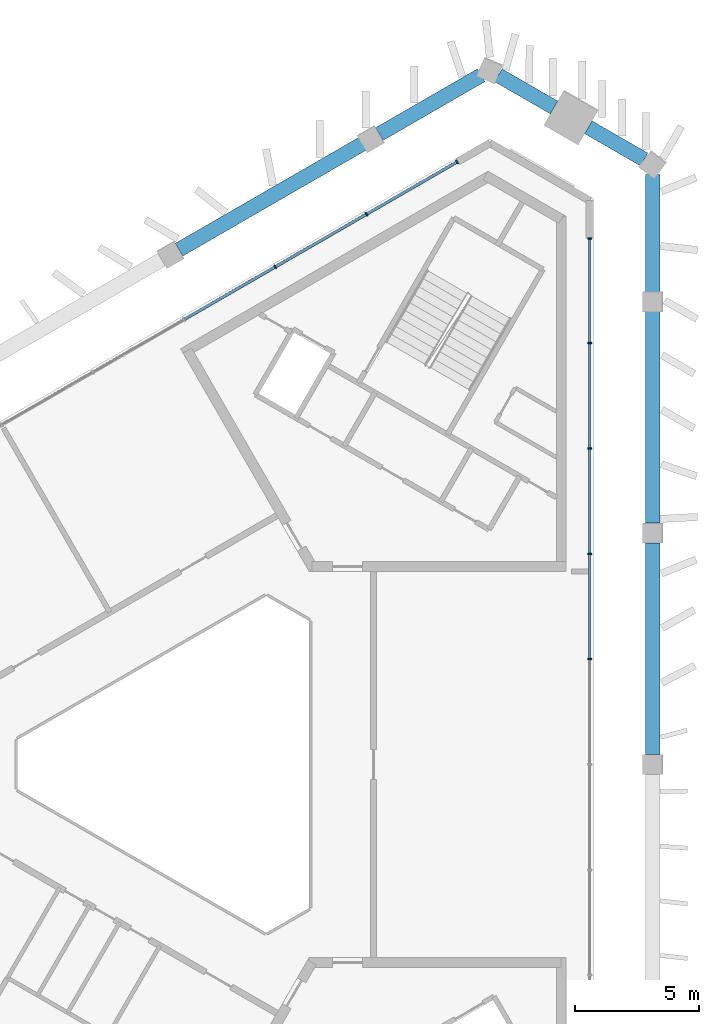
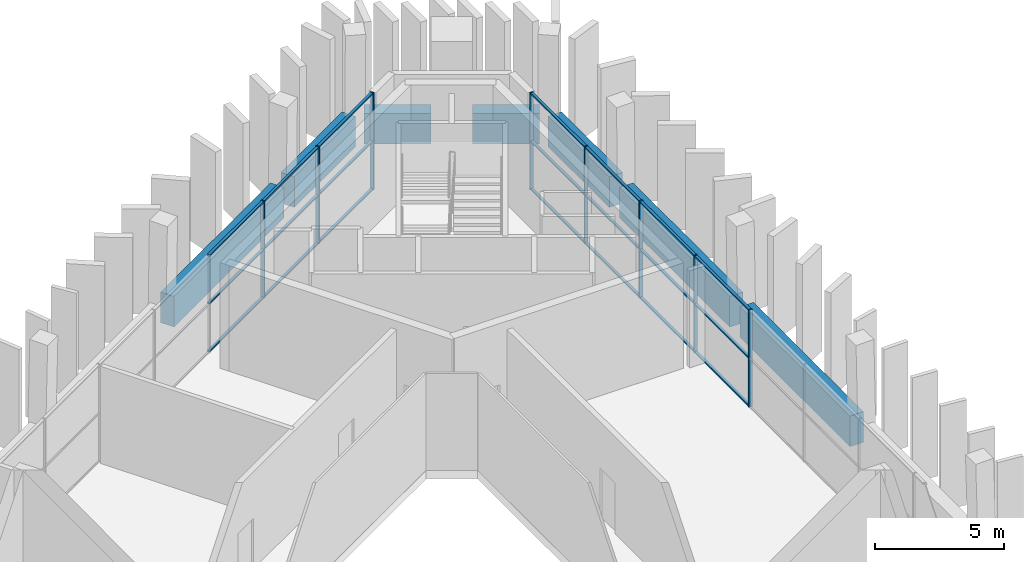
# One storey, part 6 of 13: 29 members, 7 beams, 2 elements without a shape of their own.
"""IFC4 building model written with IfcOpenShell, lengths in metres."""

import ifcopenshell
import ifcopenshell.guid

model = None  # the IFC model being written
_history = None  # IfcOwnerHistory: only IFC2X3 demands one
_inside = {}  # id of a spatial element -> (the spatial element, [elements in it])
_under = {}  # id of a project, library or spatial element -> (it, [spatial elements below it])
_declared = {}  # id of a project -> (the project, [libraries it declares])
_typed = {}  # id of a type object -> (the type object, [elements of that type])
_made_of = {}  # id of a material, layer set ... -> (it, [elements and type objects made of it])


def new_model(schema):
    """Start an empty IFC model of exactly this schema.

    Asked for "IFC4X3", IfcOpenShell would pick the latest addendum, in which some entities
    have other attributes; the version numbers below select the first issue.
    IFC2X3 requires an IfcOwnerHistory on every rooted entity: one is made here for all.
    """
    global model, _history
    if schema == "IFC4X3":
        model = ifcopenshell.file(schema_version=(4, 3, 0, 0))
    else:
        model = ifcopenshell.file(schema=schema)
    _inside.clear()
    _under.clear()
    _declared.clear()
    _typed.clear()
    _made_of.clear()
    _history = None
    if model.schema == "IFC2X3":
        org = make("IfcOrganization", Name="unknown")
        user = make(
            "IfcPersonAndOrganization",
            ThePerson=make("IfcPerson", FamilyName="unknown"),
            TheOrganization=org,
        )
        app = make(
            "IfcApplication",
            ApplicationDeveloper=org,
            Version="unknown",
            ApplicationFullName="unknown",
            ApplicationIdentifier="unknown",
        )
        _history = make(
            "IfcOwnerHistory",
            OwningUser=user,
            OwningApplication=app,
            ChangeAction="ADDED",
            CreationDate=0,
        )
    return model


def make(cls, **values):
    """One entity of the class cls with the attributes given. An attribute that is None is left unset."""
    return model.create_entity(
        cls, **{name: value for name, value in values.items() if value is not None}
    )


def rooted(cls, **values):
    """An entity with a GlobalId (a new one), such as an element, a storey or a relation."""
    return make(cls, GlobalId=ifcopenshell.guid.new(), OwnerHistory=_history, **values)


def si_unit(unit_type, name, prefix=None):
    """IfcSIUnit, for example si_unit("LENGTHUNIT", "METRE", prefix="MILLI")."""
    return make("IfcSIUnit", UnitType=unit_type, Prefix=prefix, Name=name)


def assignment(units):
    """IfcUnitAssignment: the units of a project."""
    return None if units is None else make("IfcUnitAssignment", Units=units)


def point(xyz):
    """IfcCartesianPoint."""
    return None if xyz is None else make("IfcCartesianPoint", Coordinates=xyz)


def direction(xyz):
    """IfcDirection."""
    return None if xyz is None else make("IfcDirection", DirectionRatios=xyz)


def frame(location, z_axis=None, x_axis=None):
    """IfcAxis2Placement3D, a coordinate frame: its origin and axes. An axis left out is left unset."""
    return make(
        "IfcAxis2Placement3D",
        Location=point(location),
        Axis=direction(z_axis),
        RefDirection=direction(x_axis),
    )


def frame_2d(location, x_axis=None):
    """IfcAxis2Placement2D, a coordinate frame in the plane: its origin and x axis."""
    return make(
        "IfcAxis2Placement2D", Location=point(location), RefDirection=direction(x_axis)
    )


def origin():
    """The frame at (0, 0, 0) with its axes left unset."""
    return frame((0.0, 0.0, 0.0))


def origin_2d():
    """The frame at (0, 0) in the plane with its x axis left unset."""
    return frame_2d((0.0, 0.0))


def place(relative_to, where):
    """IfcLocalPlacement: puts the frame where relative to a parent placement (None: the world)."""
    return make(
        "IfcLocalPlacement", PlacementRelTo=relative_to, RelativePlacement=where
    )


def context(
    kind, dimensions, precision=None, world=None, true_north=None, identifier=None
):
    """IfcGeometricRepresentationContext, for example the 3D "Model" context."""
    return make(
        "IfcGeometricRepresentationContext",
        ContextIdentifier=identifier,
        ContextType=kind,
        CoordinateSpaceDimension=dimensions,
        Precision=precision,
        WorldCoordinateSystem=world,
        TrueNorth=true_north,
    )


def subcontext(parent, identifier, kind, view, scale=None):
    """IfcGeometricRepresentationSubContext, for example "Body" below "Model"."""
    return make(
        "IfcGeometricRepresentationSubContext",
        ContextIdentifier=identifier,
        ContextType=kind,
        ParentContext=parent,
        TargetScale=scale,
        TargetView=view,
    )


def project(units=None, contexts=None):
    """IfcProject with its units and contexts."""
    return rooted(
        "IfcProject",
        Name="project",
        RepresentationContexts=contexts,
        UnitsInContext=assignment(units),
    )


def spatial(cls, under=None, at=None, **own):
    """A site, building, storey or space (cls), placed at a placement, below another one or the project."""
    s = rooted(cls, ObjectPlacement=at, **own)
    if under is not None:
        _under.setdefault(under.id(), (under, []))[1].append(s)
    return s


def profile(cls, at=None, kind="AREA", **sizes):
    """A parametric profile (cls). Its sizes go by their IFC names, for example OverallWidth=200.0."""
    return make(cls, ProfileType=kind, Position=at, **sizes)


def rectangle(**sizes):
    """IfcRectangleProfileDef."""
    return profile("IfcRectangleProfileDef", **sizes)


def extrude(swept, where, along, depth):
    """IfcExtrudedAreaSolid: the profile swept, set in the frame where, extruded along a direction by depth."""
    return make(
        "IfcExtrudedAreaSolid",
        SweptArea=swept,
        Position=where,
        ExtrudedDirection=direction(along),
        Depth=depth,
    )


def shape(context_of_items, identifier, shape_type, items):
    """IfcShapeRepresentation: the items that make up one representation, for example the "Body"."""
    return make(
        "IfcShapeRepresentation",
        ContextOfItems=context_of_items,
        RepresentationIdentifier=identifier,
        RepresentationType=shape_type,
        Items=items,
    )


def material(Name=None, Category=None):
    """IfcMaterial."""
    return make("IfcMaterial", Name=Name, Category=Category)


def layer(
    of_material, thickness, ventilated=None, Name=None, Category=None, Priority=None
):
    """IfcMaterialLayer: one layer of a wall or slab, of a material (None: an air gap)."""
    return make(
        "IfcMaterialLayer",
        Material=of_material,
        LayerThickness=thickness,
        IsVentilated=ventilated,
        Name=Name,
        Category=Category,
        Priority=Priority,
    )


def layer_set(layers, Name=None):
    """IfcMaterialLayerSet."""
    return make("IfcMaterialLayerSet", MaterialLayers=layers, LayerSetName=Name)


def material_profile(
    of_material, cross_section, Name=None, Category=None, Priority=None
):
    """IfcMaterialProfile: a cross section and its material."""
    return make(
        "IfcMaterialProfile",
        Name=Name,
        Material=of_material,
        Profile=cross_section,
        Priority=Priority,
        Category=Category,
    )


def profile_set(profiles, Name=None, composite=None):
    """IfcMaterialProfileSet."""
    return make(
        "IfcMaterialProfileSet",
        Name=Name,
        MaterialProfiles=profiles,
        CompositeProfile=composite,
    )


def made_of(thing, what):
    """Note that an element or type object is made of a material, layer set ...; save() writes the relation."""
    if what is not None:
        _made_of.setdefault(what.id(), (what, []))[1].append(thing)
    return thing


def type_object(cls, material=None, **own):
    """A type object (cls), such as IfcWallType, which elements share."""
    return made_of(rooted(cls, **own), material)


def element(
    cls,
    number,
    at=None,
    inside=None,
    cuts=None,
    type_object=None,
    material=None,
    context=None,
    identifier="Body",
    shape_type=None,
    held_by="IfcProductDefinitionShape",
    body=None,
    shapes=None,
    **own,
):
    """One element of the class cls, such as IfcWall. Its Tag is "e" and its number.

    at: its placement. inside: the storey or other place that contains it. cuts: it is an
    opening in that element (IfcRelVoidsElement). A single representation is given by context,
    identifier, shape_type and body (its items); several are given by shapes. held_by: the class
    of the entity that holds the representations. save() writes the other relations.
    """
    e = rooted(cls, Tag="e%d" % number, ObjectPlacement=at, **own)
    if body is not None:
        shapes = [shape(context, identifier, shape_type, body)]
    if shapes is not None:
        e.Representation = make(held_by, Representations=shapes)
    if inside is not None:
        _inside.setdefault(inside.id(), (inside, []))[1].append(e)
    if cuts is not None:
        rooted(
            "IfcRelVoidsElement", RelatingBuildingElement=cuts, RelatedOpeningElement=e
        )
    if type_object is not None:
        _typed.setdefault(type_object.id(), (type_object, []))[1].append(e)
    return made_of(e, material)


def aggregate(whole, parts):
    """IfcRelAggregates: a whole, such as a stair, and the parts it consists of."""
    return rooted("IfcRelAggregates", RelatingObject=whole, RelatedObjects=parts)


def save(model, path):
    """Write the relations noted so far, then the file.

    IfcRelAggregates (storeys below a building ...), IfcRelContainedInSpatialStructure (elements
    in a storey), IfcRelDefinesByType, IfcRelAssociatesMaterial and IfcRelDeclares: one each for
    every whole, place, type object, material and project.
    """
    for whole, parts in _under.values():
        aggregate(whole, parts)
    for where, things in _inside.values():
        rooted(
            "IfcRelContainedInSpatialStructure",
            RelatedElements=things,
            RelatingStructure=where,
        )
    for kind, things in _typed.values():
        rooted("IfcRelDefinesByType", RelatedObjects=things, RelatingType=kind)
    for what, things in _made_of.values():
        rooted("IfcRelAssociatesMaterial", RelatedObjects=things, RelatingMaterial=what)
    for by, libraries in _declared.values():
        rooted("IfcRelDeclares", RelatingContext=by, RelatedDefinitions=libraries)
    model.write(path)


model = new_model("IFC4")

# Units and contexts
model_context = context("Model", 3, precision=1e-05, world=origin(), true_north=direction((0.0, 1.0)))
body_context = subcontext(model_context, "Body", "Model", "MODEL_VIEW")
ifc_project = project(units=[si_unit("LENGTHUNIT", "METRE"), si_unit("AREAUNIT", "SQUARE_METRE"), si_unit("VOLUMEUNIT", "CUBIC_METRE"), si_unit("PLANEANGLEUNIT", "RADIAN"), si_unit("MASSUNIT", "GRAM", prefix="KILO")], contexts=[model_context])

# Site, building, storey
site_placement = place(None, origin())
site = spatial("IfcSite", under=ifc_project, at=site_placement, CompositionType="ELEMENT")
building_placement = place(site_placement, origin())
building = spatial("IfcBuilding", under=site, at=building_placement, Name="Jabali Bay Hotel Tower and Convention Centre", CompositionType="ELEMENT")
storey_placement = place(building_placement, frame((0.0, 0.0, 310.800048828125)))
storey = spatial("IfcBuildingStorey", under=building, at=storey_placement, Name="L76", CompositionType="ELEMENT", Elevation=310.800048828125)

# Curtain wall, members
ifc_material_1 = material(Name="Aluminium and glass", Category="aluminium")
ifc_layer = layer(ifc_material_1, 0.159912109375)
ifc_layer_set = layer_set([ifc_layer], Name="Aluminium and glass")
curtain_wall_type = type_object("IfcCurtainWallType", Name="CW3 curtain wall", PredefinedType="NOTDEFINED", material=ifc_layer_set)
curtain_wall_1_placement = place(storey_placement, origin())
curtain_wall_1 = element("IfcCurtainWall", 1, at=curtain_wall_1_placement, inside=storey, type_object=curtain_wall_type, Name="CW3 curtain wall east face L76", PredefinedType="NOTDEFINED")
ifc_material_2 = material(Name="Aluminium", Category="aluminium")
ifc_material_profile_1 = material_profile(ifc_material_2, rectangle(XDim=0.159912109375, YDim=0.06005859375, at=origin_2d()), Name="CW3 mullion 60 x 160")
ifc_profile_set_1 = profile_set([ifc_material_profile_1], Name="Aluminium")
member_type_1 = type_object("IfcMemberType", Name="CW3 mullion 60 x 160", PredefinedType="MULLION", material=ifc_profile_set_1)
member_1_placement = place(storey_placement, frame((90.8310546875, 101.2333984375, 0.0), z_axis=(0.0, 0.0, 1.0), x_axis=(1.0, 0.0, 0.0)))
member_1 = element("IfcMember", 2, at=member_1_placement, type_object=member_type_1, Name="CW3 mullion 1", PredefinedType="MULLION", context=body_context, shape_type="SweptSolid", body=[
    extrude(rectangle(XDim=0.159912109375, YDim=0.06005859375, at=origin_2d()), origin(), (0.0, 0.0, 1.0), 4.599853515625),
])
member_2_placement = place(storey_placement, frame((90.8310546875, 97.0107421875, 0.0), z_axis=(0.0, 0.0, 1.0), x_axis=(1.0, 0.0, 0.0)))
member_2 = element("IfcMember", 3, at=member_2_placement, type_object=member_type_1, Name="CW3 mullion 2", PredefinedType="MULLION", context=body_context, shape_type="SweptSolid", body=[
    extrude(rectangle(XDim=0.159912109375, YDim=0.06005859375, at=origin_2d()), origin(), (0.0, 0.0, 1.0), 4.599853515625),
])
member_3_placement = place(storey_placement, frame((90.8310546875, 92.758056640625, 0.0), z_axis=(0.0, 0.0, 1.0), x_axis=(1.0, 0.0, 0.0)))
member_3 = element("IfcMember", 4, at=member_3_placement, type_object=member_type_1, Name="CW3 mullion 3", PredefinedType="MULLION", context=body_context, shape_type="SweptSolid", body=[
    extrude(rectangle(XDim=0.159912109375, YDim=0.06005859375, at=origin_2d()), origin(), (0.0, 0.0, 1.0), 4.599853515625),
])
member_4_placement = place(storey_placement, frame((90.8310546875, 88.50537109375, 0.0), z_axis=(0.0, 0.0, 1.0), x_axis=(1.0, 0.0, 0.0)))
member_4 = element("IfcMember", 5, at=member_4_placement, type_object=member_type_1, Name="CW3 mullion 4", PredefinedType="MULLION", context=body_context, shape_type="SweptSolid", body=[
    extrude(rectangle(XDim=0.159912109375, YDim=0.06005859375, at=origin_2d()), origin(), (0.0, 0.0, 1.0), 4.599853515625),
])
member_5_placement = place(storey_placement, frame((90.8310546875, 84.252685546875, 0.0), z_axis=(0.0, 0.0, 1.0), x_axis=(1.0, 0.0, 0.0)))
member_5 = element("IfcMember", 6, at=member_5_placement, type_object=member_type_1, Name="CW3 mullion 5", PredefinedType="MULLION", context=body_context, shape_type="SweptSolid", body=[
    extrude(rectangle(XDim=0.159912109375, YDim=0.06005859375, at=origin_2d()), origin(), (0.0, 0.0, 1.0), 4.599853515625),
])

curtain_wall_2_placement = place(storey_placement, origin())
curtain_wall_2 = element("IfcCurtainWall", 7, at=curtain_wall_2_placement, inside=storey, type_object=curtain_wall_type, Name="CW3 curtain wall north-west face L76", PredefinedType="NOTDEFINED")
member_6_placement = place(storey_placement, frame((78.13330078125, 100.089111328125, 0.0), z_axis=(0.0, 0.0, 1.0), x_axis=(-0.5, 0.866025403784, 0.0)))
member_6 = element("IfcMember", 8, at=member_6_placement, type_object=member_type_1, Name="CW3 mullion 9", PredefinedType="MULLION", context=body_context, shape_type="SweptSolid", body=[
    extrude(rectangle(XDim=0.159912109375, YDim=0.06005859375, at=origin_2d()), origin(), (0.0, 0.0, 1.0), 4.599853515625),
])
member_7_placement = place(storey_placement, frame((81.81640625, 102.21533203125, 0.0), z_axis=(0.0, 0.0, 1.0), x_axis=(-0.5, 0.866025403784, 0.0)))
member_7 = element("IfcMember", 9, at=member_7_placement, type_object=member_type_1, Name="CW3 mullion 10", PredefinedType="MULLION", context=body_context, shape_type="SweptSolid", body=[
    extrude(rectangle(XDim=0.159912109375, YDim=0.06005859375, at=origin_2d()), origin(), (0.0, 0.0, 1.0), 4.599853515625),
])
member_8_placement = place(storey_placement, frame((85.47314453125, 104.32666015625, 0.0), z_axis=(0.0, 0.0, 1.0), x_axis=(-0.5, 0.866025403784, 0.0)))
member_8 = element("IfcMember", 10, at=member_8_placement, type_object=member_type_1, Name="CW3 mullion 11", PredefinedType="MULLION", context=body_context, shape_type="SweptSolid", body=[
    extrude(rectangle(XDim=0.159912109375, YDim=0.06005859375, at=origin_2d()), origin(), (0.0, 0.0, 1.0), 4.599853515625),
])

# Member
ifc_material_profile_2 = material_profile(ifc_material_2, rectangle(XDim=0.1201171875, YDim=0.06005859375, at=origin_2d()), Name="CW3 transom 60 x 120")
ifc_profile_set_2 = profile_set([ifc_material_profile_2], Name="Aluminium")
member_type_2 = type_object("IfcMemberType", Name="CW3 transom 60 x 120", PredefinedType="USERDEFINED", material=ifc_profile_set_2)
member_9_placement = place(storey_placement, frame((90.8310546875, 101.203369140625, 0.030029296875), z_axis=(0.0, -1.0, 0.0), x_axis=(1.0, 0.0, 0.0)))
member_9 = element("IfcMember", 11, at=member_9_placement, type_object=member_type_2, Name="CW3 transom 1.1", ObjectType="TRANSOM", PredefinedType="USERDEFINED", context=body_context, shape_type="SweptSolid", body=[
    extrude(rectangle(XDim=0.1201171875, YDim=0.06005859375, at=origin_2d()), origin(), (0.0, 0.0, 1.0), 4.16259765625),
])

member_10_placement = place(storey_placement, frame((90.8310546875, 101.203369140625, 2.300048828125), z_axis=(0.0, -1.0, 0.0), x_axis=(1.0, 0.0, 0.0)))
member_10 = element("IfcMember", 12, at=member_10_placement, type_object=member_type_2, Name="CW3 transom 1.2", ObjectType="TRANSOM", PredefinedType="USERDEFINED", context=body_context, shape_type="SweptSolid", body=[
    extrude(rectangle(XDim=0.1201171875, YDim=0.06005859375, at=origin_2d()), origin(), (0.0, 0.0, 1.0), 4.16259765625),
])

member_11_placement = place(storey_placement, frame((90.8310546875, 101.203369140625, 4.570068359375), z_axis=(0.0, -1.0, 0.0), x_axis=(1.0, 0.0, 0.0)))
member_11 = element("IfcMember", 13, at=member_11_placement, type_object=member_type_2, Name="CW3 transom 1.3", ObjectType="TRANSOM", PredefinedType="USERDEFINED", context=body_context, shape_type="SweptSolid", body=[
    extrude(rectangle(XDim=0.1201171875, YDim=0.06005859375, at=origin_2d()), origin(), (0.0, 0.0, 1.0), 4.16259765625),
])

member_12_placement = place(storey_placement, frame((90.8310546875, 96.980712890625, 0.030029296875), z_axis=(0.0, -1.0, 0.0), x_axis=(1.0, 0.0, 0.0)))
member_12 = element("IfcMember", 14, at=member_12_placement, type_object=member_type_2, Name="CW3 transom 2.1", ObjectType="TRANSOM", PredefinedType="USERDEFINED", context=body_context, shape_type="SweptSolid", body=[
    extrude(rectangle(XDim=0.1201171875, YDim=0.06005859375, at=origin_2d()), origin(), (0.0, 0.0, 1.0), 4.192626953125),
])

member_13_placement = place(storey_placement, frame((90.8310546875, 96.980712890625, 2.300048828125), z_axis=(0.0, -1.0, 0.0), x_axis=(1.0, 0.0, 0.0)))
member_13 = element("IfcMember", 15, at=member_13_placement, type_object=member_type_2, Name="CW3 transom 2.2", ObjectType="TRANSOM", PredefinedType="USERDEFINED", context=body_context, shape_type="SweptSolid", body=[
    extrude(rectangle(XDim=0.1201171875, YDim=0.06005859375, at=origin_2d()), origin(), (0.0, 0.0, 1.0), 4.192626953125),
])

member_14_placement = place(storey_placement, frame((90.8310546875, 96.980712890625, 4.570068359375), z_axis=(0.0, -1.0, 0.0), x_axis=(1.0, 0.0, 0.0)))
member_14 = element("IfcMember", 16, at=member_14_placement, type_object=member_type_2, Name="CW3 transom 2.3", ObjectType="TRANSOM", PredefinedType="USERDEFINED", context=body_context, shape_type="SweptSolid", body=[
    extrude(rectangle(XDim=0.1201171875, YDim=0.06005859375, at=origin_2d()), origin(), (0.0, 0.0, 1.0), 4.192626953125),
])

member_15_placement = place(storey_placement, frame((90.8310546875, 92.72802734375, 0.030029296875), z_axis=(0.0, -1.0, 0.0), x_axis=(1.0, 0.0, 0.0)))
member_15 = element("IfcMember", 17, at=member_15_placement, type_object=member_type_2, Name="CW3 transom 3.1", ObjectType="TRANSOM", PredefinedType="USERDEFINED", context=body_context, shape_type="SweptSolid", body=[
    extrude(rectangle(XDim=0.1201171875, YDim=0.06005859375, at=origin_2d()), origin(), (0.0, 0.0, 1.0), 4.192626953125),
])

member_16_placement = place(storey_placement, frame((90.8310546875, 92.72802734375, 2.300048828125), z_axis=(0.0, -1.0, 0.0), x_axis=(1.0, 0.0, 0.0)))
member_16 = element("IfcMember", 18, at=member_16_placement, type_object=member_type_2, Name="CW3 transom 3.2", ObjectType="TRANSOM", PredefinedType="USERDEFINED", context=body_context, shape_type="SweptSolid", body=[
    extrude(rectangle(XDim=0.1201171875, YDim=0.06005859375, at=origin_2d()), origin(), (0.0, 0.0, 1.0), 4.192626953125),
])

member_17_placement = place(storey_placement, frame((90.8310546875, 92.72802734375, 4.570068359375), z_axis=(0.0, -1.0, 0.0), x_axis=(1.0, 0.0, 0.0)))
member_17 = element("IfcMember", 19, at=member_17_placement, type_object=member_type_2, Name="CW3 transom 3.3", ObjectType="TRANSOM", PredefinedType="USERDEFINED", context=body_context, shape_type="SweptSolid", body=[
    extrude(rectangle(XDim=0.1201171875, YDim=0.06005859375, at=origin_2d()), origin(), (0.0, 0.0, 1.0), 4.192626953125),
])

member_18_placement = place(storey_placement, frame((90.8310546875, 88.475341796875, 0.030029296875), z_axis=(0.0, -1.0, 0.0), x_axis=(1.0, 0.0, 0.0)))
member_18 = element("IfcMember", 20, at=member_18_placement, type_object=member_type_2, Name="CW3 transom 4.1", ObjectType="TRANSOM", PredefinedType="USERDEFINED", context=body_context, shape_type="SweptSolid", body=[
    extrude(rectangle(XDim=0.1201171875, YDim=0.06005859375, at=origin_2d()), origin(), (0.0, 0.0, 1.0), 4.192626953125),
])

member_19_placement = place(storey_placement, frame((90.8310546875, 88.475341796875, 2.300048828125), z_axis=(0.0, -1.0, 0.0), x_axis=(1.0, 0.0, 0.0)))
member_19 = element("IfcMember", 21, at=member_19_placement, type_object=member_type_2, Name="CW3 transom 4.2", ObjectType="TRANSOM", PredefinedType="USERDEFINED", context=body_context, shape_type="SweptSolid", body=[
    extrude(rectangle(XDim=0.1201171875, YDim=0.06005859375, at=origin_2d()), origin(), (0.0, 0.0, 1.0), 4.192626953125),
])

member_20_placement = place(storey_placement, frame((90.8310546875, 88.475341796875, 4.570068359375), z_axis=(0.0, -1.0, 0.0), x_axis=(1.0, 0.0, 0.0)))
member_20 = element("IfcMember", 22, at=member_20_placement, type_object=member_type_2, Name="CW3 transom 4.3", ObjectType="TRANSOM", PredefinedType="USERDEFINED", context=body_context, shape_type="SweptSolid", body=[
    extrude(rectangle(XDim=0.1201171875, YDim=0.06005859375, at=origin_2d()), origin(), (0.0, 0.0, 1.0), 4.192626953125),
])

aggregate(curtain_wall_1, [member_1, member_2, member_3, member_4, member_5, member_9, member_10, member_11, member_12, member_13, member_14, member_15, member_16, member_17, member_18, member_19, member_20])

member_21_placement = place(storey_placement, frame((74.476318359375, 97.977783203125, 0.030029296875), z_axis=(0.866048865957, 0.499959360123, 0.0), x_axis=(-0.499959360123, 0.866048865957, 0.0)))
member_21 = element("IfcMember", 23, at=member_21_placement, type_object=member_type_2, Name="CW3 transom 8.1", ObjectType="TRANSOM", PredefinedType="USERDEFINED", context=body_context, shape_type="SweptSolid", body=[
    extrude(rectangle(XDim=0.1201171875, YDim=0.06005859375, at=origin_2d()), origin(), (0.0, 0.0, 1.0), 4.192626953125),
])

member_22_placement = place(storey_placement, frame((74.476318359375, 97.977783203125, 2.300048828125), z_axis=(0.866048865957, 0.499959360123, 0.0), x_axis=(-0.499959360123, 0.866048865957, 0.0)))
member_22 = element("IfcMember", 24, at=member_22_placement, type_object=member_type_2, Name="CW3 transom 8.2", ObjectType="TRANSOM", PredefinedType="USERDEFINED", context=body_context, shape_type="SweptSolid", body=[
    extrude(rectangle(XDim=0.1201171875, YDim=0.06005859375, at=origin_2d()), origin(), (0.0, 0.0, 1.0), 4.192626953125),
])

member_23_placement = place(storey_placement, frame((74.476318359375, 97.977783203125, 4.570068359375), z_axis=(0.866048865957, 0.499959360123, 0.0), x_axis=(-0.499959360123, 0.866048865957, 0.0)))
member_23 = element("IfcMember", 25, at=member_23_placement, type_object=member_type_2, Name="CW3 transom 8.3", ObjectType="TRANSOM", PredefinedType="USERDEFINED", context=body_context, shape_type="SweptSolid", body=[
    extrude(rectangle(XDim=0.1201171875, YDim=0.06005859375, at=origin_2d()), origin(), (0.0, 0.0, 1.0), 4.192626953125),
])

member_24_placement = place(storey_placement, frame((78.159423828125, 100.10400390625, 0.030029296875), z_axis=(0.866009094545, 0.500028247368, 0.0), x_axis=(-0.500028247368, 0.866009094545, 0.0)))
member_24 = element("IfcMember", 26, at=member_24_placement, type_object=member_type_2, Name="CW3 transom 9.1", ObjectType="TRANSOM", PredefinedType="USERDEFINED", context=body_context, shape_type="SweptSolid", body=[
    extrude(rectangle(XDim=0.1201171875, YDim=0.06005859375, at=origin_2d()), origin(), (0.0, 0.0, 1.0), 4.192626953125),
])

member_25_placement = place(storey_placement, frame((78.159423828125, 100.10400390625, 2.300048828125), z_axis=(0.866009094545, 0.500028247368, 0.0), x_axis=(-0.500028247368, 0.866009094545, 0.0)))
member_25 = element("IfcMember", 27, at=member_25_placement, type_object=member_type_2, Name="CW3 transom 9.2", ObjectType="TRANSOM", PredefinedType="USERDEFINED", context=body_context, shape_type="SweptSolid", body=[
    extrude(rectangle(XDim=0.1201171875, YDim=0.06005859375, at=origin_2d()), origin(), (0.0, 0.0, 1.0), 4.192626953125),
])

member_26_placement = place(storey_placement, frame((78.159423828125, 100.10400390625, 4.570068359375), z_axis=(0.866009094545, 0.500028247368, 0.0), x_axis=(-0.500028247368, 0.866009094545, 0.0)))
member_26 = element("IfcMember", 28, at=member_26_placement, type_object=member_type_2, Name="CW3 transom 9.3", ObjectType="TRANSOM", PredefinedType="USERDEFINED", context=body_context, shape_type="SweptSolid", body=[
    extrude(rectangle(XDim=0.1201171875, YDim=0.06005859375, at=origin_2d()), origin(), (0.0, 0.0, 1.0), 4.192626953125),
])

member_27_placement = place(storey_placement, frame((81.84228515625, 102.23046875, 0.030029296875), z_axis=(0.866029316688, 0.49999322259, 0.0), x_axis=(-0.49999322259, 0.866029316688, 0.0)))
member_27 = element("IfcMember", 29, at=member_27_placement, type_object=member_type_2, Name="CW3 transom 10.1", ObjectType="TRANSOM", PredefinedType="USERDEFINED", context=body_context, shape_type="SweptSolid", body=[
    extrude(rectangle(XDim=0.1201171875, YDim=0.06005859375, at=origin_2d()), origin(), (0.0, 0.0, 1.0), 4.16259765625),
])

member_28_placement = place(storey_placement, frame((81.84228515625, 102.23046875, 2.300048828125), z_axis=(0.866029316688, 0.49999322259, 0.0), x_axis=(-0.49999322259, 0.866029316688, 0.0)))
member_28 = element("IfcMember", 30, at=member_28_placement, type_object=member_type_2, Name="CW3 transom 10.2", ObjectType="TRANSOM", PredefinedType="USERDEFINED", context=body_context, shape_type="SweptSolid", body=[
    extrude(rectangle(XDim=0.1201171875, YDim=0.06005859375, at=origin_2d()), origin(), (0.0, 0.0, 1.0), 4.16259765625),
])

member_29_placement = place(storey_placement, frame((81.84228515625, 102.23046875, 4.570068359375), z_axis=(0.866029316688, 0.49999322259, 0.0), x_axis=(-0.49999322259, 0.866029316688, 0.0)))
member_29 = element("IfcMember", 31, at=member_29_placement, type_object=member_type_2, Name="CW3 transom 10.3", ObjectType="TRANSOM", PredefinedType="USERDEFINED", context=body_context, shape_type="SweptSolid", body=[
    extrude(rectangle(XDim=0.1201171875, YDim=0.06005859375, at=origin_2d()), origin(), (0.0, 0.0, 1.0), 4.16259765625),
])

aggregate(curtain_wall_2, [member_6, member_7, member_8, member_21, member_22, member_23, member_24, member_25, member_26, member_27, member_28, member_29])

# Beams
ifc_material_3 = material(Name="Concrete C60", Category="concrete")
ifc_material_profile_3 = material_profile(ifc_material_3, rectangle(XDim=0.60009765625, YDim=1.449951171875, at=origin_2d()), Name="Spandrel 600x1450")
ifc_profile_set_3 = profile_set([ifc_material_profile_3], Name="Concrete C60")
beam_type = type_object("IfcBeamType", Name="Spandrel 600x1450", PredefinedType="SPANDREL", material=ifc_profile_set_3)
beam_1_placement = place(storey_placement, frame((89.39013671875, 106.5244140625, 0.375), z_axis=(-0.866015107885, 0.500017832597, 0.0), x_axis=(-0.500017832597, -0.866015107885, 0.0)))
element("IfcBeam", 32, at=beam_1_placement, inside=storey, type_object=beam_type, Name="Spandrel M1-V2 L76", PredefinedType="SPANDREL", context=body_context, shape_type="SweptSolid", body=[
    extrude(rectangle(XDim=0.60009765625, YDim=1.449951171875, at=origin_2d()), origin(), (0.0, 0.0, 1.0), 2.599609375),
])
beam_2_placement = place(storey_placement, frame((86.4462890625, 107.82421875, 0.375), z_axis=(-0.866016684239, -0.500015102392, 0.0), x_axis=(0.500015102392, -0.866016684239, 0.0)))
element("IfcBeam", 33, at=beam_2_placement, inside=storey, type_object=beam_type, Name="Spandrel V2-F1.1 L76", PredefinedType="SPANDREL", context=body_context, shape_type="SweptSolid", body=[
    extrude(rectangle(XDim=0.60009765625, YDim=1.449951171875, at=origin_2d()), origin(), (0.0, 0.0, 1.0), 4.741943359375),
])
for number, where, z_axis, x_axis, name in (
    (34, (81.646728515625, 105.05322265625, 0.375), (-0.866027084608, -0.499997088717, 0.0), (0.499997088717, -0.866027084608, 0.0), "Spandrel F1.1-F1.2 L76"),
    (35, (93.373291015625, 80.39990234375, 0.375), (0.0, 1.0, 0.0), (-1.0, 0.0, 0.0), "Spandrel F0.3-F0.4 L76"),
):
    element("IfcBeam", number, at=place(storey_placement, frame(where, z_axis=z_axis, x_axis=x_axis)), inside=storey, type_object=beam_type, Name=name, PredefinedType="SPANDREL", context=body_context, shape_type="SweptSolid", body=[
        extrude(rectangle(XDim=0.60009765625, YDim=1.449951171875, at=origin_2d()), origin(), (0.0, 0.0, 1.0), 8.54150390625),
    ])
beam_3_placement = place(storey_placement, frame((93.373291015625, 89.741455078125, 0.375), z_axis=(0.0, 1.0, 0.0), x_axis=(-1.0, 0.0, 0.0)))
element("IfcBeam", 36, at=beam_3_placement, inside=storey, type_object=beam_type, Name="Spandrel F0.4-F0.5 L76", PredefinedType="SPANDREL", context=body_context, shape_type="SweptSolid", body=[
    extrude(rectangle(XDim=0.60009765625, YDim=1.449951171875, at=origin_2d()), origin(), (0.0, 0.0, 1.0), 8.541259765625),
])
beam_4_placement = place(storey_placement, frame((93.373291015625, 99.082763671875, 0.375), z_axis=(0.0, 1.0, 0.0), x_axis=(-1.0, 0.0, 0.0)))
element("IfcBeam", 37, at=beam_4_placement, inside=storey, type_object=beam_type, Name="Spandrel F0.5-V1 L76", PredefinedType="SPANDREL", context=body_context, shape_type="SweptSolid", body=[
    extrude(rectangle(XDim=0.60009765625, YDim=1.449951171875, at=origin_2d()), origin(), (0.0, 0.0, 1.0), 4.741943359375),
])
beam_5_placement = place(storey_placement, frame((93.02685546875, 104.4248046875, 0.375), z_axis=(-0.86599162392, 0.500058503878, 0.0), x_axis=(-0.500058503878, -0.86599162392, 0.0)))
element("IfcBeam", 38, at=beam_5_placement, inside=storey, type_object=beam_type, Name="Spandrel V1-M1 L76", PredefinedType="SPANDREL", context=body_context, shape_type="SweptSolid", body=[
    extrude(rectangle(XDim=0.60009765625, YDim=1.449951171875, at=origin_2d()), origin(), (0.0, 0.0, 1.0), 2.599365234375),
])

save(model, "model.ifc")
